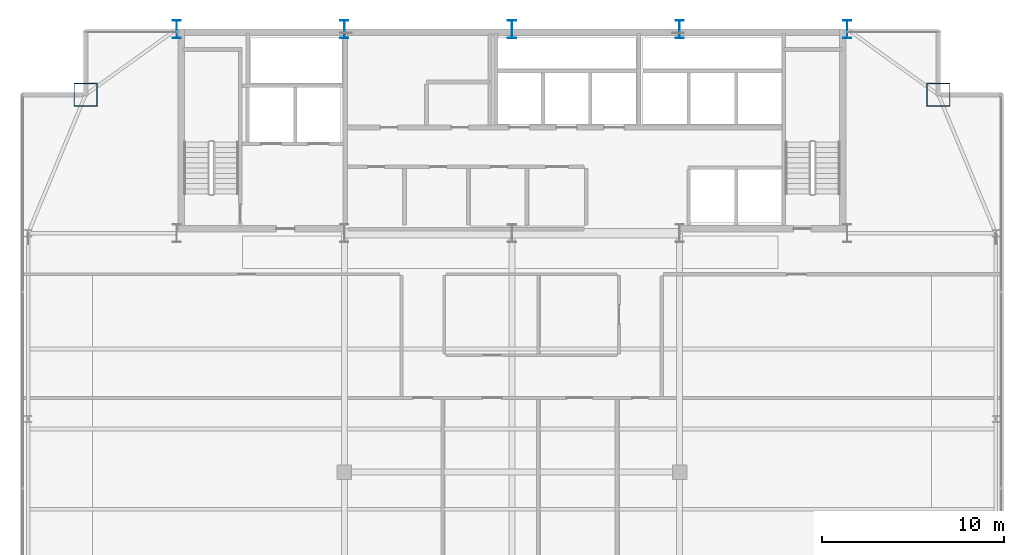
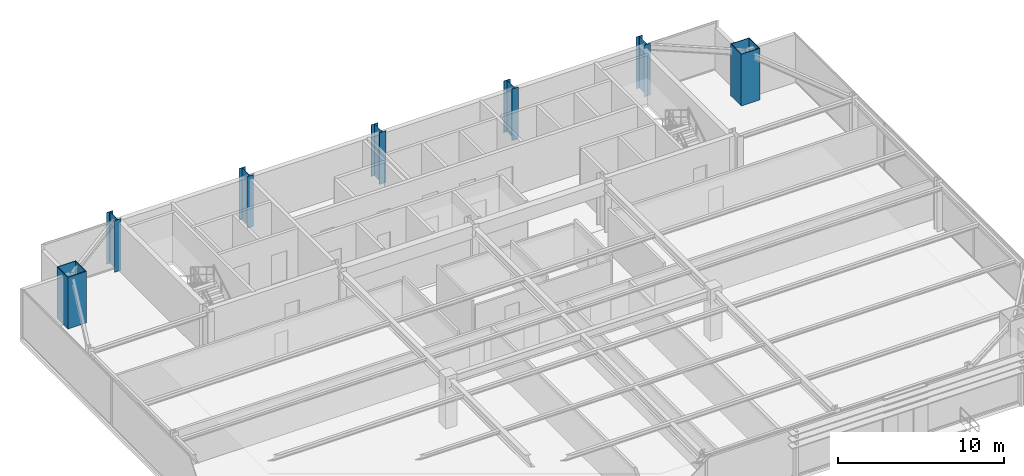
# One storey, part 3 of 31: 7 columns.
"""IFC4 building model written with IfcOpenShell, lengths in metres."""

from ifc_helpers import new_model, si_unit, direction, frame, origin, origin_2d, place, context, subcontext, project, spatial, hollow_rectangle, i_section, extrude, source, transform, mapped, material, material_profile, profile_set, type_object, type_shapes, element, save


model = new_model("IFC4")

# Units and contexts
model_context = context("Model", 3, precision=1e-05, world=origin(), true_north=direction((0.0, 1.0)))
body_context = subcontext(model_context, "Body", "Model", "MODEL_VIEW")
ifc_project = project(units=[si_unit("LENGTHUNIT", "METRE"), si_unit("AREAUNIT", "SQUARE_METRE"), si_unit("VOLUMEUNIT", "CUBIC_METRE"), si_unit("PLANEANGLEUNIT", "RADIAN"), si_unit("MASSUNIT", "GRAM", prefix="KILO")], contexts=[model_context])

# Site, building, storey
site_placement = place(None, origin())
site = spatial("IfcSite", under=ifc_project, at=site_placement, CompositionType="ELEMENT")
building_placement = place(site_placement, origin())
building = spatial("IfcBuilding", under=site, at=building_placement, Name="Varnel Quay Broadcast Tower", CompositionType="ELEMENT")
storey_placement = place(building_placement, frame((0.0, 0.0, 157.199951171875)))
storey = spatial("IfcBuildingStorey", under=building, at=storey_placement, Name="L38", CompositionType="ELEMENT", Elevation=157.199951171875)

# Columns
ifc_material = material(Name="Structural Steel CSA G40.21 350WT", Category="steel")
ifc_material_profile_1 = material_profile(ifc_material, i_section(OverallWidth=0.449951171875, OverallDepth=1.0, WebThickness=0.01611328125, FlangeThickness=0.030029296875, FilletRadius=0.01611328125, at=origin_2d()), Name="WWF1000X362")
ifc_profile_set_1 = profile_set([ifc_material_profile_1], Name="Structural Steel CSA G40.21 350WT")
column_type_1 = type_object("IfcColumnType", Name="Col_WWF1000X362", PredefinedType="COLUMN", material=ifc_profile_set_1)
shared_shape_1 = source(origin(), body_context, "Body", "SweptSolid", [
    extrude(i_section(OverallWidth=0.449951171875, OverallDepth=1.0, WebThickness=0.01611328125, FlangeThickness=0.030029296875, FilletRadius=0.01611328125, at=origin_2d()), origin(), (0.0, 0.0, 1.0), 3.800048828125),
])
type_shapes(column_type_1, [shared_shape_1])
for number, where, z_axis, x_axis, name in (
    (1, (15.60009765625, 46.800048828125, 0.0), (0.0, 0.0, 1.0), (1.0, 0.0, 0.0), "L38 Column CC-N1"),
    (2, (24.800048828125, 46.800048828125, 0.0), (0.0, 0.0, 1.0), (1.0, 0.0, 0.0), "L38 Column CC-N2"),
    (3, (34.0, 46.800048828125, 0.0), (0.0, 0.0, 1.0), (1.0, 0.0, 0.0), "L38 Column CC-N3"),
    (4, (43.199951171875, 46.800048828125, 0.0), (0.0, 0.0, 1.0), (1.0, 0.0, 0.0), "L38 Column CC-N4"),
    (5, (52.39990234375, 46.800048828125, 0.0), (0.0, 0.0, 1.0), (1.0, 0.0, 0.0), "L38 Column CC-N5"),
):
    element("IfcColumn", number, at=place(storey_placement, frame(where, z_axis=z_axis, x_axis=x_axis)), inside=storey, type_object=column_type_1, Name=name, PredefinedType="COLUMN", context=body_context, shape_type="MappedRepresentation", body=[
        mapped(shared_shape_1, transform((0.0, 0.0, 0.0), x_axis=(1.0, 0.0, 0.0), y_axis=(0.0, 1.0, 0.0), z_axis=(0.0, 0.0, 1.0), scale=1.0)),
    ])
ifc_material_profile_2 = material_profile(ifc_material, hollow_rectangle(XDim=1.300048828125, YDim=1.300048828125, WallThickness=0.050048828125, at=origin_2d()), Name="BOX1300X1300X50")
ifc_profile_set_2 = profile_set([ifc_material_profile_2], Name="Structural Steel CSA G40.21 350WT")
column_type_2 = type_object("IfcColumnType", Name="Col_BOX1300X1300X50", PredefinedType="COLUMN", material=ifc_profile_set_2)
shared_shape_2 = source(origin(), body_context, "Body", "SweptSolid", [
    extrude(hollow_rectangle(XDim=1.300048828125, YDim=1.300048828125, WallThickness=0.050048828125, at=origin_2d()), origin(), (0.0, 0.0, 1.0), 3.800048828125),
])
type_shapes(column_type_2, [shared_shape_2])
for number, where, z_axis, x_axis, name in (
    (6, (57.39990234375, 43.199951171875, 0.0), (0.0, 0.0, 1.0), (1.0, 0.0, 0.0), "L38 Column MC-NE"),
    (7, (10.60009765625, 43.199951171875, 0.0), (0.0, 0.0, 1.0), (1.0, 0.0, 0.0), "L38 Column MC-NW"),
):
    element("IfcColumn", number, at=place(storey_placement, frame(where, z_axis=z_axis, x_axis=x_axis)), inside=storey, type_object=column_type_2, Name=name, PredefinedType="COLUMN", context=body_context, shape_type="MappedRepresentation", body=[
        mapped(shared_shape_2, transform((0.0, 0.0, 0.0), x_axis=(1.0, 0.0, 0.0), y_axis=(0.0, 1.0, 0.0), z_axis=(0.0, 0.0, 1.0), scale=1.0)),
    ])

save(model, "model.ifc")
